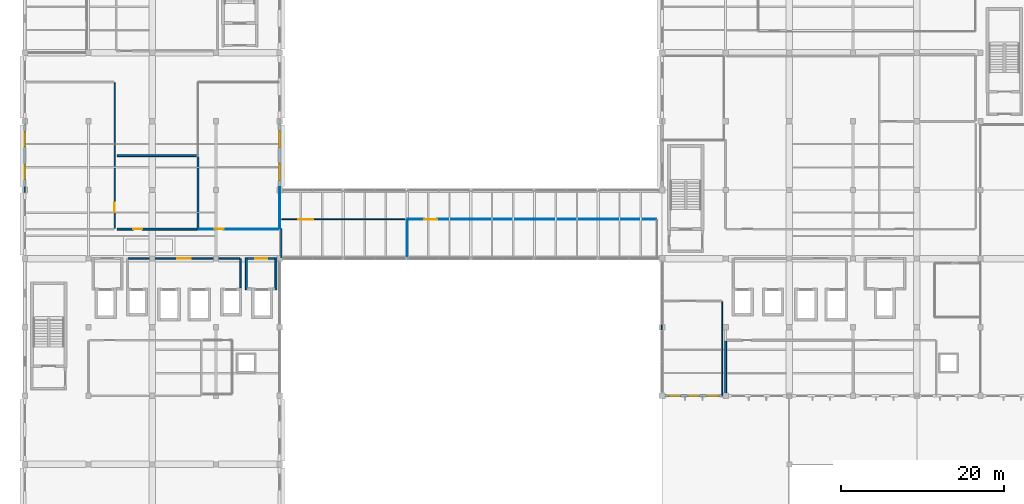
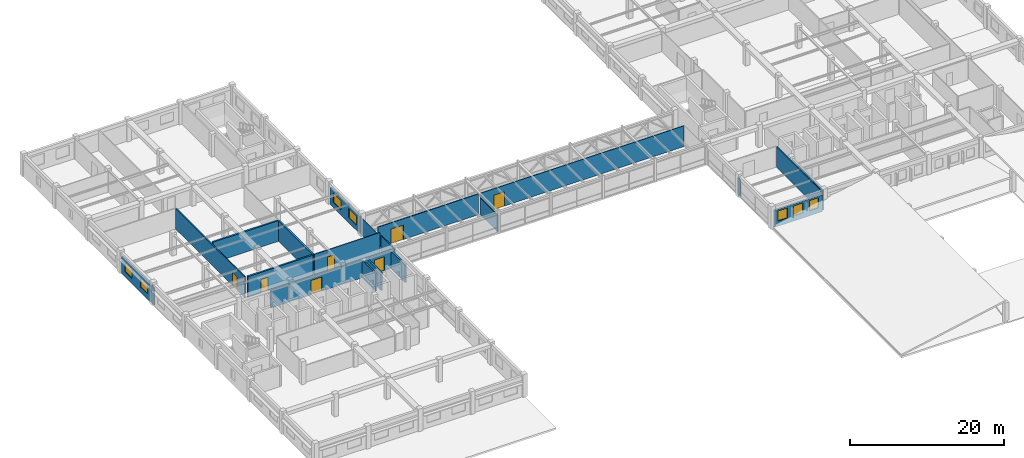
# One storey, part 39 of 49: 22 walls, 7 doors, 7 windows, 14 openings.
"""IFC4 building model written with IfcOpenShell, lengths in metres."""

from ifc_helpers import new_model, si_unit, direction, frame, frame_2d, origin, place, context, subcontext, project, spatial, rectangle, extrude, material, layer, layer_set, type_object, element, fill, save


model = new_model("IFC4")

# Units and contexts
model_context = context("Model", 3, precision=1e-05, world=origin(), true_north=direction((0.0, 1.0)))
body_context = subcontext(model_context, "Body", "Model", "MODEL_VIEW")
ifc_project = project(units=[si_unit("LENGTHUNIT", "METRE"), si_unit("AREAUNIT", "SQUARE_METRE"), si_unit("VOLUMEUNIT", "CUBIC_METRE"), si_unit("PLANEANGLEUNIT", "RADIAN"), si_unit("MASSUNIT", "GRAM", prefix="KILO"), si_unit("THERMODYNAMICTEMPERATUREUNIT", "KELVIN"), si_unit("POWERUNIT", "WATT")], contexts=[model_context])

# Site, building, storey
site_placement = place(None, origin())
site = spatial("IfcSite", under=ifc_project, at=site_placement, CompositionType="ELEMENT")
building_placement = place(site_placement, origin())
building = spatial("IfcBuilding", under=site, at=building_placement, Name="Srebrne Nadtorze General Hospital", CompositionType="ELEMENT")
storey_placement = place(building_placement, frame((0.0, 0.0, 26.10009765625)))
storey = spatial("IfcBuildingStorey", under=building, at=storey_placement, Name="L06", CompositionType="ELEMENT", Elevation=26.10009765625)

# Walls
ifc_material_1 = material(Name="Gypsum Healthcare Partition")
ifc_layer_1 = layer(ifc_material_1, 0.139892578125)
ifc_layer_set_1 = layer_set([ifc_layer_1], Name="Gypsum Healthcare Partition")
wall_type_1 = type_object("IfcWallType", Name="Clinical partition 140", PredefinedType="PARTITIONING", material=ifc_layer_set_1)
wall_1_placement = place(storey_placement, frame((101.39990234375, 41.68994140625, 0.0), z_axis=(0.0, 0.0, 1.0), x_axis=(0.0, 1.0, 0.0)))
element("IfcWall", 1, at=wall_1_placement, inside=storey, type_object=wall_type_1, Name="Speech and Swallowing Therapy Clinic wall WL-INT-L06-2205", PredefinedType="PARTITIONING", context=body_context, shape_type="SweptSolid", body=[
    extrude(rectangle(XDim=0.6201171875, YDim=0.139892578125, at=frame_2d((0.31005859375, 0.0))), origin(), (0.0, 0.0, 1.0), 2.64990234375),
])
wall_2_placement = place(storey_placement, frame((108.800048828125, 33.68505859375, 0.0), z_axis=(0.0, 0.0, 1.0), x_axis=(0.0, 1.0, 0.0)))
element("IfcWall", 2, at=wall_2_placement, inside=storey, type_object=wall_type_1, Name="Speech and Swallowing Therapy Clinic wall WL-INT-L06-2206", PredefinedType="PARTITIONING", context=body_context, shape_type="SweptSolid", body=[
    extrude(rectangle(XDim=11.429931640625, YDim=0.139892578125, at=frame_2d((5.71484375, 0.0))), origin(), (0.0, 0.0, 1.0), 3.27978515625),
])

# Wall, opening, door
wall_3_placement = place(storey_placement, frame((54.885009765625, 55.199951171875, 0.0), z_axis=(0.0, 0.0, 1.0), x_axis=(1.0, 0.0, 0.0)))
wall_3 = element("IfcWall", 3, at=wall_3_placement, inside=storey, type_object=wall_type_1, Name="Telemedicine Specialist Consultation Suite wall WL-INT-L06-2214", PredefinedType="PARTITIONING", context=body_context, shape_type="SweptSolid", body=[
    extrude(rectangle(XDim=15.030029296875, YDim=0.139892578125, at=frame_2d((7.51513671875, 0.0))), origin(), (0.0, 0.0, 1.0), 3.27978515625),
])
opening_1_placement = place(wall_3_placement, frame((1.96337890625, 0.0, 0.0)))
opening_1 = element("IfcOpeningElement", 4, at=opening_1_placement, cuts=wall_3, Name="Opening D-L06-0479", PredefinedType="OPENING", context=body_context, shape_type="SweptSolid", body=[
    extrude(rectangle(XDim=1.85009765625, YDim=2.300048828125, at=frame_2d((0.925048828125, 1.14990234375))), frame((0.0, 0.08203125, 0.0), z_axis=(0.0, -1.0, 0.0), x_axis=(1.0, 0.0, 0.0)), (0.0, 0.0, 1.0), 0.163818359375),
])
ifc_material_2 = material(Name="Anodised Aluminium", Category="aluminium")
door_type_1 = type_object("IfcDoorType", Name="Double leaf door 1850x2300", OperationType="DOUBLE_DOOR_SINGLE_SWING", PredefinedType="DOOR", material=ifc_material_2)
door_1_placement = place(opening_1_placement, frame((1.85009765625, 0.0, 0.0), z_axis=(0.0, 0.0, 1.0), x_axis=(-1.0, 0.0, 0.0)))
door_1 = element("IfcDoor", 5, at=door_1_placement, inside=storey, type_object=door_type_1, Name="Telemedicine Specialist Consultation Suite door D-L06-0479", OperationType="DOUBLE_DOOR_SINGLE_SWING", OverallHeight=2.300048828125, OverallWidth=1.85009765625, PredefinedType="DOOR", context=body_context, shape_type="SweptSolid", body=[
    extrude(rectangle(XDim=1.85009765625, YDim=2.300048828125, at=frame_2d((0.925048828125, 1.14990234375))), frame((0.0, 0.02490234375, 0.0), z_axis=(0.0, -1.0, 0.0), x_axis=(1.0, 0.0, 0.0)), (0.0, 0.0, 1.0), 0.050048828125),
])
fill(opening_1, door_1)

# Wall
wall_4_placement = place(storey_placement, frame((54.800048828125, 50.485107421875, 0.0), z_axis=(0.0, 0.0, 1.0), x_axis=(0.0, 1.0, 0.0)))
element("IfcWall", 6, at=wall_4_placement, inside=storey, type_object=wall_type_1, Name="Telemedicine Specialist Consultation Suite wall WL-INT-L06-2215", PredefinedType="PARTITIONING", context=body_context, shape_type="SweptSolid", body=[
    extrude(rectangle(XDim=3.559814453125, YDim=0.139892578125, at=frame_2d((1.77978515625, 0.0))), origin(), (0.0, 0.0, 1.0), 2.64990234375),
])

# Wall, opening, door
ifc_material_3 = material(Name="Gypsum Healthcare Partition")
ifc_layer_2 = layer(ifc_material_3, 0.159912109375)
ifc_layer_set_2 = layer_set([ifc_layer_2], Name="Gypsum Healthcare Partition")
wall_type_2 = type_object("IfcWallType", Name="Clinical partition 160", PredefinedType="PARTITIONING", material=ifc_layer_set_2)
wall_5_placement = place(storey_placement, frame((34.39990234375, 54.0849609375, 0.0), z_axis=(0.0, 0.0, 1.0), x_axis=(0.0, 1.0, 0.0)))
wall_5 = element("IfcWall", 7, at=wall_5_placement, inside=storey, type_object=wall_type_2, Name="Hydrotherapy and Gait Analysis Clinic wall WL-INT-L06-2178", PredefinedType="PARTITIONING", context=body_context, shape_type="SweptSolid", body=[
    extrude(rectangle(XDim=17.830078125, YDim=0.159912109375, at=frame_2d((8.9150390625, 0.0))), origin(), (0.0, 0.0, 1.0), 3.27978515625),
])
opening_2_placement = place(wall_5_placement, frame((1.966064453125, 0.0, 0.0)))
opening_2 = element("IfcOpeningElement", 8, at=opening_2_placement, cuts=wall_5, Name="Opening D-L06-0469", PredefinedType="OPENING", context=body_context, shape_type="SweptSolid", body=[
    extrude(rectangle(XDim=1.199951171875, YDim=2.14990234375, at=frame_2d((0.60009765625, 1.074951171875))), frame((0.0, 0.091796875, 0.0), z_axis=(0.0, -1.0, 0.0), x_axis=(1.0, 0.0, 0.0)), (0.0, 0.0, 1.0), 0.183837890625),
])
ifc_material_4 = material(Name="Anodised Aluminium", Category="aluminium")
door_type_2 = type_object("IfcDoorType", Name="Single leaf door 1200x2150", OperationType="NOTDEFINED", PredefinedType="DOOR", material=ifc_material_4)
door_2_placement = place(opening_2_placement, origin())
door_2 = element("IfcDoor", 9, at=door_2_placement, inside=storey, type_object=door_type_2, Name="Hydrotherapy and Gait Analysis Clinic door D-L06-0469", OperationType="SINGLE_SWING_LEFT", OverallHeight=2.14990234375, OverallWidth=1.199951171875, PredefinedType="DOOR", context=body_context, shape_type="SweptSolid", body=[
    extrude(rectangle(XDim=1.199951171875, YDim=2.14990234375, at=frame_2d((0.60009765625, 1.074951171875))), frame((0.0, 0.02490234375, 0.0), z_axis=(0.0, -1.0, 0.0), x_axis=(1.0, 0.0, 0.0)), (0.0, 0.0, 1.0), 0.050048828125),
])
fill(opening_2, door_2)

# Walls
wall_6_placement = place(storey_placement, frame((23.39990234375, 58.489990234375, 0.0), z_axis=(0.0, 0.0, 1.0), x_axis=(0.0, 1.0, 0.0)))
element("IfcWall", 10, at=wall_6_placement, inside=storey, type_object=wall_type_2, Name="Hydrotherapy and Gait Analysis Clinic wall WL-INT-L06-2181", PredefinedType="PARTITIONING", context=body_context, shape_type="SweptSolid", body=[
    extrude(rectangle(XDim=0.6201171875, YDim=0.159912109375, at=frame_2d((0.31005859375, 0.0))), origin(), (0.0, 0.0, 1.0), 2.64990234375),
])
ifc_material_5 = material(Name="Gypsum Healthcare Partition")
ifc_layer_3 = layer(ifc_material_5, 0.199951171875)
ifc_layer_set_3 = layer_set([ifc_layer_3], Name="Gypsum Healthcare Partition")
wall_type_3 = type_object("IfcWallType", Name="Compartment wall 200", PredefinedType="STANDARD", material=ifc_layer_set_3)
wall_7_placement = place(storey_placement, frame((49.820068359375, 46.81005859375, 0.0), z_axis=(0.0, 0.0, 1.0), x_axis=(0.0, 1.0, 0.0)))
element("IfcWall", 11, at=wall_7_placement, inside=storey, type_object=wall_type_3, Name="Lift lobby side wall WL-INT-L06-1128", PredefinedType="STANDARD", context=body_context, shape_type="SweptSolid", body=[
    extrude(rectangle(XDim=3.58984375, YDim=0.199951171875, at=frame_2d((1.794921875, 0.0))), origin(), (0.0, 0.0, 1.0), 2.7998046875),
])

# Wall, opening, door
wall_8_placement = place(storey_placement, frame((36.080078125, 50.39990234375, 0.0), z_axis=(0.0, 0.0, 1.0), x_axis=(1.0, 0.0, 0.0)))
wall_8 = element("IfcWall", 12, at=wall_8_placement, inside=storey, type_object=wall_type_3, Name="Lift lobby corridor wall WL-INT-L06-1129", PredefinedType="STANDARD", context=body_context, shape_type="SweptSolid", body=[
    extrude(rectangle(XDim=13.639892578125, YDim=0.199951171875, at=frame_2d((6.81982421875, 0.0))), origin(), (0.0, 0.0, 1.0), 2.7998046875),
])
opening_3_placement = place(wall_8_placement, frame((5.9951171875, 0.0, 0.0)))
opening_3 = element("IfcOpeningElement", 13, at=opening_3_placement, cuts=wall_8, Name="Opening D-L06-0154", PredefinedType="OPENING", context=body_context, shape_type="SweptSolid", body=[
    extrude(rectangle(XDim=1.64990234375, YDim=2.25, at=frame_2d((0.824951171875, 1.125))), frame((0.0, 0.11181640625, 0.0), z_axis=(0.0, -1.0, 0.0), x_axis=(1.0, 0.0, 0.0)), (0.0, 0.0, 1.0), 0.223876953125),
])
ifc_material_6 = material(Name="Anodised Aluminium", Category="aluminium")
door_type_3 = type_object("IfcDoorType", Name="Double leaf door 1650x2250", OperationType="DOUBLE_DOOR_SINGLE_SWING", PredefinedType="DOOR", material=ifc_material_6)
door_3_placement = place(opening_3_placement, origin())
door_3 = element("IfcDoor", 14, at=door_3_placement, inside=storey, type_object=door_type_3, Name="Lift lobby corridor door D-L06-0154", OperationType="DOUBLE_DOOR_SINGLE_SWING", OverallHeight=2.25, OverallWidth=1.64990234375, PredefinedType="DOOR", context=body_context, shape_type="SweptSolid", body=[
    extrude(rectangle(XDim=1.64990234375, YDim=2.25, at=frame_2d((0.824951171875, 1.125))), frame((0.0, 0.02490234375, 0.0), z_axis=(0.0, -1.0, 0.0), x_axis=(1.0, 0.0, 0.0)), (0.0, 0.0, 1.0), 0.050048828125),
])
fill(opening_3, door_3)

# Walls
ifc_material_7 = material(Name="Gypsum Healthcare Partition")
ifc_layer_4 = layer(ifc_material_7, 0.239990234375)
ifc_layer_set_4 = layer_set([ifc_layer_4], Name="Gypsum Healthcare Partition")
wall_type_4 = type_object("IfcWallType", Name="Corridor fire wall 240", PredefinedType="STANDARD", material=ifc_layer_set_4)
for number, where, z_axis, x_axis, name in (
    (15, (50.530029296875, 46.570068359375, 0.0), (0.0, 0.0, 1.0), (0.0, 1.0, 0.0), "FF lift lobby wall WL-INT-L06-1122"),
    (16, (54.139892578125, 46.570068359375, 0.0), (0.0, 0.0, 1.0), (0.0, 1.0, 0.0), "FF lift lobby wall WL-INT-L06-1123"),
):
    element("IfcWall", number, at=place(storey_placement, frame(where, z_axis=z_axis, x_axis=x_axis)), inside=storey, type_object=wall_type_4, Name=name, PredefinedType="STANDARD", context=body_context, shape_type="SweptSolid", body=[
        extrude(rectangle(XDim=3.949951171875, YDim=0.239990234375, at=frame_2d((1.97509765625, 0.0))), origin(), (0.0, 0.0, 1.0), 2.7998046875),
    ])

# Wall, opening, door
wall_9_placement = place(storey_placement, frame((50.64990234375, 50.39990234375, 0.0), z_axis=(0.0, 0.0, 1.0), x_axis=(1.0, 0.0, 0.0)))
wall_9 = element("IfcWall", 17, at=wall_9_placement, inside=storey, type_object=wall_type_4, Name="FF lift lobby front wall WL-INT-L06-1126", PredefinedType="STANDARD", context=body_context, shape_type="SweptSolid", body=[
    extrude(rectangle(XDim=3.3701171875, YDim=0.239990234375, at=frame_2d((1.68505859375, 0.0))), origin(), (0.0, 0.0, 1.0), 2.7998046875),
])
opening_4_placement = place(wall_9_placement, frame((0.9599609375, 0.0, 0.0)))
opening_4 = element("IfcOpeningElement", 18, at=opening_4_placement, cuts=wall_9, Name="Opening D-L06-0153", PredefinedType="OPENING", context=body_context, shape_type="SweptSolid", body=[
    extrude(rectangle(XDim=1.449951171875, YDim=2.199951171875, at=frame_2d((0.72509765625, 1.10009765625))), frame((0.0, 0.1318359375, 0.0), z_axis=(0.0, -1.0, 0.0), x_axis=(1.0, 0.0, 0.0)), (0.0, 0.0, 1.0), 0.263916015625),
])
ifc_material_8 = material(Name="Anodised Aluminium", Category="aluminium")
door_type_4 = type_object("IfcDoorType", Name="Double leaf door 1450x2200", OperationType="DOUBLE_DOOR_SINGLE_SWING", PredefinedType="DOOR", material=ifc_material_8)
door_4_placement = place(opening_4_placement, origin())
door_4 = element("IfcDoor", 19, at=door_4_placement, inside=storey, type_object=door_type_4, Name="Firefighting lift lobby door D-L06-0153", OperationType="DOUBLE_DOOR_SINGLE_SWING", OverallHeight=2.199951171875, OverallWidth=1.449951171875, PredefinedType="DOOR", context=body_context, shape_type="SweptSolid", body=[
    extrude(rectangle(XDim=1.449951171875, YDim=2.199951171875, at=frame_2d((0.72509765625, 1.10009765625))), frame((0.0, 0.02490234375, 0.0), z_axis=(0.0, -1.0, 0.0), x_axis=(1.0, 0.0, 0.0)), (0.0, 0.0, 1.0), 0.050048828125),
])
fill(opening_4, door_4)

wall_10_placement = place(storey_placement, frame((34.7099609375, 54.0, 0.0), z_axis=(0.0, 0.0, 1.0), x_axis=(1.0, 0.0, 0.0)))
wall_10 = element("IfcWall", 20, at=wall_10_placement, inside=storey, type_object=wall_type_4, Name="Upper Ward Interstitial Plant Room wall WL-INT-L06-2183", PredefinedType="STANDARD", context=body_context, shape_type="SweptSolid", body=[
    extrude(rectangle(XDim=9.780029296875, YDim=0.239990234375, at=frame_2d((4.89013671875, 0.0))), origin(), (0.0, 0.0, 1.0), 3.27978515625),
])
opening_5_placement = place(wall_10_placement, frame((1.964599609375, 0.0, 0.0)))
opening_5 = element("IfcOpeningElement", 21, at=opening_5_placement, cuts=wall_10, Name="Opening D-L06-0470", PredefinedType="OPENING", context=body_context, shape_type="SweptSolid", body=[
    extrude(rectangle(XDim=1.080078125, YDim=2.14990234375, at=frame_2d((0.5400390625, 1.074951171875))), frame((0.0, 0.1318359375, 0.0), z_axis=(0.0, -1.0, 0.0), x_axis=(1.0, 0.0, 0.0)), (0.0, 0.0, 1.0), 0.263916015625),
])
ifc_material_9 = material(Name="Anodised Aluminium", Category="aluminium")
door_type_5 = type_object("IfcDoorType", Name="Single leaf door 1080x2150", OperationType="NOTDEFINED", PredefinedType="DOOR", material=ifc_material_9)
door_5_placement = place(opening_5_placement, origin())
door_5 = element("IfcDoor", 22, at=door_5_placement, inside=storey, type_object=door_type_5, Name="Upper Ward Interstitial Plant Room door D-L06-0470", OperationType="SINGLE_SWING_LEFT", OverallHeight=2.14990234375, OverallWidth=1.080078125, PredefinedType="DOOR", context=body_context, shape_type="SweptSolid", body=[
    extrude(rectangle(XDim=1.080078125, YDim=2.14990234375, at=frame_2d((0.5400390625, 1.074951171875))), frame((0.0, 0.02490234375, 0.0), z_axis=(0.0, -1.0, 0.0), x_axis=(1.0, 0.0, 0.0)), (0.0, 0.0, 1.0), 0.050048828125),
])
fill(opening_5, door_5)

# Walls
wall_11_placement = place(storey_placement, frame((34.7099609375, 63.0, 0.0), z_axis=(0.0, 0.0, 1.0), x_axis=(1.0, 0.0, 0.0)))
element("IfcWall", 23, at=wall_11_placement, inside=storey, type_object=wall_type_4, Name="Upper Ward Interstitial Plant Room wall WL-INT-L06-2184", PredefinedType="STANDARD", context=body_context, shape_type="SweptSolid", body=[
    extrude(rectangle(XDim=9.780029296875, YDim=0.239990234375, at=frame_2d((4.89013671875, 0.0))), origin(), (0.0, 0.0, 1.0), 3.27978515625),
])
wall_12_placement = place(storey_placement, frame((44.60009765625, 54.110107421875, 0.0), z_axis=(0.0, 0.0, 1.0), x_axis=(0.0, 1.0, 0.0)))
element("IfcWall", 24, at=wall_12_placement, inside=storey, type_object=wall_type_4, Name="Upper Ward Interstitial Plant Room wall WL-INT-L06-2185", PredefinedType="STANDARD", context=body_context, shape_type="SweptSolid", body=[
    extrude(rectangle(XDim=8.77978515625, YDim=0.239990234375, at=frame_2d((4.389892578125, 0.0))), origin(), (0.0, 0.0, 1.0), 3.27978515625),
])
wall_13_placement = place(storey_placement, frame((109.199951171875, 33.7099609375, 0.0), z_axis=(0.0, 0.0, 1.0), x_axis=(0.0, 1.0, 0.0)))
element("IfcWall", 25, at=wall_13_placement, inside=storey, type_object=wall_type_4, Name="East Ward Interstitial Plant Room wall WL-INT-L06-2232", PredefinedType="STANDARD", context=body_context, shape_type="SweptSolid", body=[
    extrude(rectangle(XDim=6.580078125, YDim=0.239990234375, at=frame_2d((3.2900390625, 0.0))), origin(), (0.0, 0.0, 1.0), 3.0498046875),
])

# Wall, openings, windows
ifc_material_10 = material(Name="Concrete C40/50 precast", Category="concrete")
ifc_layer_5 = layer(ifc_material_10, 0.300048828125)
ifc_layer_set_5 = layer_set([ifc_layer_5], Name="Concrete C40/50 precast")
wall_type_5 = type_object("IfcWallType", Name="Limestone precast wall 300", PredefinedType="STANDARD", material=ifc_layer_set_5)
wall_14_placement = place(storey_placement, frame((101.75, 33.60009765625, 0.0), z_axis=(0.0, 0.0, 1.0), x_axis=(1.0, 0.0, 0.0)))
wall_14 = element("IfcWall", 26, at=wall_14_placement, inside=storey, type_object=wall_type_5, Name="Exterior wall WL-ENV-L06-0464", PredefinedType="STANDARD", context=body_context, shape_type="SweptSolid", body=[
    extrude(rectangle(XDim=7.125, YDim=0.300048828125, at=frame_2d((3.5625, 0.0))), origin(), (0.0, 0.0, 1.0), 2.64990234375),
])
opening_6_placement = place(wall_14_placement, frame((0.510009765625, 0.0, 0.800048828125)))
opening_6 = element("IfcOpeningElement", 27, at=opening_6_placement, cuts=wall_14, Name="Opening WN-L06-0761", PredefinedType="OPENING", context=body_context, shape_type="SweptSolid", body=[
    extrude(rectangle(XDim=1.39990234375, YDim=1.60009765625, at=frame_2d((0.699951171875, 0.800048828125))), frame((0.0, 0.162109375, 0.0), z_axis=(0.0, -1.0, 0.0), x_axis=(1.0, 0.0, 0.0)), (0.0, 0.0, 1.0), 0.323974609375),
])
opening_7_placement = place(wall_14_placement, frame((2.85009765625, 0.0, 0.800048828125)))
opening_7 = element("IfcOpeningElement", 28, at=opening_7_placement, cuts=wall_14, Name="Opening WN-L06-0762", PredefinedType="OPENING", context=body_context, shape_type="SweptSolid", body=[
    extrude(rectangle(XDim=1.39990234375, YDim=1.60009765625, at=frame_2d((0.699951171875, 0.800048828125))), frame((0.0, 0.162109375, 0.0), z_axis=(0.0, -1.0, 0.0), x_axis=(1.0, 0.0, 0.0)), (0.0, 0.0, 1.0), 0.323974609375),
])
opening_8_placement = place(wall_14_placement, frame((5.18994140625, 0.0, 0.800048828125)))
opening_8 = element("IfcOpeningElement", 29, at=opening_8_placement, cuts=wall_14, Name="Opening WN-L06-0763", PredefinedType="OPENING", context=body_context, shape_type="SweptSolid", body=[
    extrude(rectangle(XDim=1.39990234375, YDim=1.60009765625, at=frame_2d((0.699951171875, 0.800048828125))), frame((0.0, 0.162109375, 0.0), z_axis=(0.0, -1.0, 0.0), x_axis=(1.0, 0.0, 0.0)), (0.0, 0.0, 1.0), 0.323974609375),
])
ifc_material_11 = material(Name="Triple Low-E Glazing", Category="glass")
window_type_1 = type_object("IfcWindowType", Name="Punched clinical window 1400x1600", PartitioningType="SINGLE_PANEL", PredefinedType="WINDOW", material=ifc_material_11)
window_1_placement = place(opening_6_placement, origin())
window_1 = element("IfcWindow", 30, at=window_1_placement, inside=storey, type_object=window_type_1, Name="Clinical window WN-L06-0761", OverallHeight=1.60009765625, OverallWidth=1.39990234375, PartitioningType="SINGLE_PANEL", PredefinedType="WINDOW", context=body_context, shape_type="SweptSolid", body=[
    extrude(rectangle(XDim=1.39990234375, YDim=1.60009765625, at=frame_2d((0.699951171875, 0.800048828125))), frame((0.0, 0.030029296875, 0.0), z_axis=(0.0, -1.0, 0.0), x_axis=(1.0, 0.0, 0.0)), (0.0, 0.0, 1.0), 0.06005859375),
])
fill(opening_6, window_1)
window_2_placement = place(opening_7_placement, origin())
window_2 = element("IfcWindow", 31, at=window_2_placement, inside=storey, type_object=window_type_1, Name="Clinical window WN-L06-0762", OverallHeight=1.60009765625, OverallWidth=1.39990234375, PartitioningType="SINGLE_PANEL", PredefinedType="WINDOW", context=body_context, shape_type="SweptSolid", body=[
    extrude(rectangle(XDim=1.39990234375, YDim=1.60009765625, at=frame_2d((0.699951171875, 0.800048828125))), frame((0.0, 0.030029296875, 0.0), z_axis=(0.0, -1.0, 0.0), x_axis=(1.0, 0.0, 0.0)), (0.0, 0.0, 1.0), 0.06005859375),
])
fill(opening_7, window_2)
window_3_placement = place(opening_8_placement, origin())
window_3 = element("IfcWindow", 32, at=window_3_placement, inside=storey, type_object=window_type_1, Name="Clinical window WN-L06-0763", OverallHeight=1.60009765625, OverallWidth=1.39990234375, PartitioningType="SINGLE_PANEL", PredefinedType="WINDOW", context=body_context, shape_type="SweptSolid", body=[
    extrude(rectangle(XDim=1.39990234375, YDim=1.60009765625, at=frame_2d((0.699951171875, 0.800048828125))), frame((0.0, 0.030029296875, 0.0), z_axis=(0.0, -1.0, 0.0), x_axis=(1.0, 0.0, 0.0)), (0.0, 0.0, 1.0), 0.06005859375),
])
fill(opening_8, window_3)

# Wall, opening, door
ifc_material_12 = material(Name="Gypsum Healthcare Partition")
ifc_layer_6 = layer(ifc_material_12, 0.10009765625)
ifc_layer_set_6 = layer_set([ifc_layer_6], Name="Gypsum Healthcare Partition")
wall_type_6 = type_object("IfcWallType", Name="Shaft lining wall 100", PredefinedType="PARTITIONING", material=ifc_layer_set_6)
wall_15_placement = place(storey_placement, frame((44.68505859375, 54.0, 0.0), z_axis=(0.0, 0.0, 1.0), x_axis=(1.0, 0.0, 0.0)))
wall_15 = element("IfcWall", 33, at=wall_15_placement, inside=storey, type_object=wall_type_6, Name="Tele-ICU Clinical Monitoring Centre wall WL-INT-L06-2186", PredefinedType="PARTITIONING", context=body_context, shape_type="SweptSolid", body=[
    extrude(rectangle(XDim=9.829833984375, YDim=0.10009765625, at=frame_2d((4.9150390625, 0.0))), origin(), (0.0, 0.0, 1.0), 3.27978515625),
])
opening_9_placement = place(wall_15_placement, frame((1.96875, 0.0, 0.0)))
opening_9 = element("IfcOpeningElement", 34, at=opening_9_placement, cuts=wall_15, Name="Opening D-L06-0471", PredefinedType="OPENING", context=body_context, shape_type="SweptSolid", body=[
    extrude(rectangle(XDim=1.080078125, YDim=2.14990234375, at=frame_2d((0.5400390625, 1.074951171875))), frame((0.0, 0.06201171875, 0.0), z_axis=(0.0, -1.0, 0.0), x_axis=(1.0, 0.0, 0.0)), (0.0, 0.0, 1.0), 0.1240234375),
])
door_6_placement = place(opening_9_placement, origin())
door_6 = element("IfcDoor", 35, at=door_6_placement, inside=storey, type_object=door_type_5, Name="Tele-ICU Clinical Monitoring Centre door D-L06-0471", OperationType="SINGLE_SWING_LEFT", OverallHeight=2.14990234375, OverallWidth=1.080078125, PredefinedType="DOOR", context=body_context, shape_type="SweptSolid", body=[
    extrude(rectangle(XDim=1.080078125, YDim=2.14990234375, at=frame_2d((0.5400390625, 1.074951171875))), frame((0.0, 0.02490234375, 0.0), z_axis=(0.0, -1.0, 0.0), x_axis=(1.0, 0.0, 0.0)), (0.0, 0.0, 1.0), 0.050048828125),
])
fill(opening_9, door_6)

# Wall
wall_16_placement = place(storey_placement, frame((54.60009765625, 54.0849609375, 0.0), z_axis=(0.0, 0.0, 1.0), x_axis=(0.0, 1.0, 0.0)))
element("IfcWall", 36, at=wall_16_placement, inside=storey, type_object=wall_type_6, Name="Tele-ICU Clinical Monitoring Centre wall WL-INT-L06-2189", PredefinedType="PARTITIONING", context=body_context, shape_type="SweptSolid", body=[
    extrude(rectangle(XDim=5.025146484375, YDim=0.10009765625, at=frame_2d((2.5126953125, 0.0))), origin(), (0.0, 0.0, 1.0), 2.64990234375),
])

# Wall, opening, door
wall_17_placement = place(storey_placement, frame((70.284912109375, 55.199951171875, 0.0), z_axis=(0.0, 0.0, 1.0), x_axis=(1.0, 0.0, 0.0)))
wall_17 = element("IfcWall", 37, at=wall_17_placement, inside=storey, type_object=wall_type_6, Name="Clinical Bioinformatics Collaboration Suite wall WL-INT-L06-2207", PredefinedType="PARTITIONING", context=body_context, shape_type="SweptSolid", body=[
    extrude(rectangle(XDim=30.43017578125, YDim=0.10009765625, at=frame_2d((15.215087890625, 0.0))), origin(), (0.0, 0.0, 1.0), 3.27978515625),
])
opening_10_placement = place(wall_17_placement, frame((1.998779296875, 0.0, 0.0)))
opening_10 = element("IfcOpeningElement", 38, at=opening_10_placement, cuts=wall_17, Name="Opening D-L06-0477", PredefinedType="OPENING", context=body_context, shape_type="SweptSolid", body=[
    extrude(rectangle(XDim=1.60009765625, YDim=2.25, at=frame_2d((0.800048828125, 1.125))), frame((0.0, 0.06201171875, 0.0), z_axis=(0.0, -1.0, 0.0), x_axis=(1.0, 0.0, 0.0)), (0.0, 0.0, 1.0), 0.1240234375),
])
ifc_material_13 = material(Name="Anodised Aluminium", Category="aluminium")
door_type_6 = type_object("IfcDoorType", Name="Double leaf door 1600x2250", OperationType="DOUBLE_DOOR_SINGLE_SWING", PredefinedType="DOOR", material=ifc_material_13)
door_7_placement = place(opening_10_placement, frame((1.60009765625, 0.0, 0.0), z_axis=(0.0, 0.0, 1.0), x_axis=(-1.0, 0.0, 0.0)))
door_7 = element("IfcDoor", 39, at=door_7_placement, inside=storey, type_object=door_type_6, Name="Clinical Bioinformatics Collaboration Suite door D-L06-0477", OperationType="DOUBLE_DOOR_SINGLE_SWING", OverallHeight=2.25, OverallWidth=1.60009765625, PredefinedType="DOOR", context=body_context, shape_type="SweptSolid", body=[
    extrude(rectangle(XDim=1.60009765625, YDim=2.25, at=frame_2d((0.800048828125, 1.125))), frame((0.0, 0.02490234375, 0.0), z_axis=(0.0, -1.0, 0.0), x_axis=(1.0, 0.0, 0.0)), (0.0, 0.0, 1.0), 0.050048828125),
])
fill(opening_10, door_7)

# Wall
wall_18_placement = place(storey_placement, frame((70.199951171875, 50.485107421875, 0.0), z_axis=(0.0, 0.0, 1.0), x_axis=(0.0, 1.0, 0.0)))
element("IfcWall", 40, at=wall_18_placement, inside=storey, type_object=wall_type_6, Name="Clinical Bioinformatics Collaboration Suite wall WL-INT-L06-2208", PredefinedType="PARTITIONING", context=body_context, shape_type="SweptSolid", body=[
    extrude(rectangle(XDim=4.6298828125, YDim=0.10009765625, at=frame_2d((2.31494140625, 0.0))), origin(), (0.0, 0.0, 1.0), 2.64990234375),
])

# Wall, openings, windows
ifc_material_14 = material(Name="Concrete C35/45 precast", Category="concrete")
ifc_layer_7 = layer(ifc_material_14, 0.260009765625)
ifc_layer_set_7 = layer_set([ifc_layer_7], Name="Concrete C35/45 precast")
wall_type_7 = type_object("IfcWallType", Name="Spandrel wall 260", PredefinedType="STANDARD", material=ifc_layer_set_7)
wall_19_placement = place(storey_placement, frame((23.39990234375, 59.14990234375, 0.0), z_axis=(0.0, 0.0, 1.0), x_axis=(0.0, 1.0, 0.0)))
wall_19 = element("IfcWall", 41, at=wall_19_placement, inside=storey, type_object=wall_type_7, Name="Exterior wall WL-ENV-L06-0485", PredefinedType="STANDARD", context=body_context, shape_type="SweptSolid", body=[
    extrude(rectangle(XDim=7.7001953125, YDim=0.260009765625, at=frame_2d((3.85009765625, 0.0))), origin(), (0.0, 0.0, 1.0), 2.64990234375),
])
opening_11_placement = place(wall_19_placement, frame((0.93408203125, 0.0, 0.800048828125)))
opening_11 = element("IfcOpeningElement", 42, at=opening_11_placement, cuts=wall_19, Name="Opening WN-L06-0803", PredefinedType="OPENING", context=body_context, shape_type="SweptSolid", body=[
    extrude(rectangle(XDim=1.800048828125, YDim=1.449951171875, at=frame_2d((0.89990234375, 0.72509765625))), frame((0.0, 0.14208984375, 0.0), z_axis=(0.0, -1.0, 0.0), x_axis=(1.0, 0.0, 0.0)), (0.0, 0.0, 1.0), 0.283935546875),
])
opening_12_placement = place(wall_19_placement, frame((4.966064453125, 0.0, 0.800048828125)))
opening_12 = element("IfcOpeningElement", 43, at=opening_12_placement, cuts=wall_19, Name="Opening WN-L06-0804", PredefinedType="OPENING", context=body_context, shape_type="SweptSolid", body=[
    extrude(rectangle(XDim=1.800048828125, YDim=1.449951171875, at=frame_2d((0.89990234375, 0.72509765625))), frame((0.0, 0.14208984375, 0.0), z_axis=(0.0, -1.0, 0.0), x_axis=(1.0, 0.0, 0.0)), (0.0, 0.0, 1.0), 0.283935546875),
])
ifc_material_15 = material(Name="Triple Low-E Glazing", Category="glass")
window_type_2 = type_object("IfcWindowType", Name="Punched clinical window 1800x1450", PartitioningType="DOUBLE_PANEL_VERTICAL", PredefinedType="WINDOW", material=ifc_material_15)
window_4_placement = place(opening_11_placement, origin())
window_4 = element("IfcWindow", 44, at=window_4_placement, inside=storey, type_object=window_type_2, Name="Clinical window WN-L06-0803", OverallHeight=1.449951171875, OverallWidth=1.800048828125, PartitioningType="DOUBLE_PANEL_VERTICAL", PredefinedType="WINDOW", context=body_context, shape_type="SweptSolid", body=[
    extrude(rectangle(XDim=1.800048828125, YDim=1.449951171875, at=frame_2d((0.89990234375, 0.72509765625))), frame((0.0, 0.030029296875, 0.0), z_axis=(0.0, -1.0, 0.0), x_axis=(1.0, 0.0, 0.0)), (0.0, 0.0, 1.0), 0.06005859375),
])
fill(opening_11, window_4)
window_5_placement = place(opening_12_placement, origin())
window_5 = element("IfcWindow", 45, at=window_5_placement, inside=storey, type_object=window_type_2, Name="Clinical window WN-L06-0804", OverallHeight=1.449951171875, OverallWidth=1.800048828125, PartitioningType="DOUBLE_PANEL_VERTICAL", PredefinedType="WINDOW", context=body_context, shape_type="SweptSolid", body=[
    extrude(rectangle(XDim=1.800048828125, YDim=1.449951171875, at=frame_2d((0.89990234375, 0.72509765625))), frame((0.0, 0.030029296875, 0.0), z_axis=(0.0, -1.0, 0.0), x_axis=(1.0, 0.0, 0.0)), (0.0, 0.0, 1.0), 0.06005859375),
])
fill(opening_12, window_5)

wall_20_placement = place(storey_placement, frame((54.60009765625, 59.14990234375, 0.0), z_axis=(0.0, 0.0, 1.0), x_axis=(0.0, 1.0, 0.0)))
wall_20 = element("IfcWall", 46, at=wall_20_placement, inside=storey, type_object=wall_type_7, Name="Exterior wall WL-ENV-L06-0491", PredefinedType="STANDARD", context=body_context, shape_type="SweptSolid", body=[
    extrude(rectangle(XDim=7.7001953125, YDim=0.260009765625, at=frame_2d((3.85009765625, 0.0))), origin(), (0.0, 0.0, 1.0), 2.64990234375),
])
opening_13_placement = place(wall_20_placement, frame((0.833984375, 0.0, 0.800048828125)))
opening_13 = element("IfcOpeningElement", 47, at=opening_13_placement, cuts=wall_20, Name="Opening WN-L06-0813", PredefinedType="OPENING", context=body_context, shape_type="SweptSolid", body=[
    extrude(rectangle(XDim=2.0, YDim=1.449951171875, at=frame_2d((1.0, 0.72509765625))), frame((0.0, 0.14208984375, 0.0), z_axis=(0.0, -1.0, 0.0), x_axis=(1.0, 0.0, 0.0)), (0.0, 0.0, 1.0), 0.283935546875),
])
opening_14_placement = place(wall_20_placement, frame((4.865966796875, 0.0, 0.800048828125)))
opening_14 = element("IfcOpeningElement", 48, at=opening_14_placement, cuts=wall_20, Name="Opening WN-L06-0814", PredefinedType="OPENING", context=body_context, shape_type="SweptSolid", body=[
    extrude(rectangle(XDim=2.0, YDim=1.449951171875, at=frame_2d((1.0, 0.72509765625))), frame((0.0, 0.14208984375, 0.0), z_axis=(0.0, -1.0, 0.0), x_axis=(1.0, 0.0, 0.0)), (0.0, 0.0, 1.0), 0.283935546875),
])
ifc_material_16 = material(Name="Triple Low-E Glazing", Category="glass")
window_type_3 = type_object("IfcWindowType", Name="Punched clinical window 2000x1450", PartitioningType="DOUBLE_PANEL_VERTICAL", PredefinedType="WINDOW", material=ifc_material_16)
window_6_placement = place(opening_13_placement, origin())
window_6 = element("IfcWindow", 49, at=window_6_placement, inside=storey, type_object=window_type_3, Name="Clinical window WN-L06-0813", OverallHeight=1.449951171875, OverallWidth=2.0, PartitioningType="DOUBLE_PANEL_VERTICAL", PredefinedType="WINDOW", context=body_context, shape_type="SweptSolid", body=[
    extrude(rectangle(XDim=2.0, YDim=1.449951171875, at=frame_2d((1.0, 0.72509765625))), frame((0.0, 0.030029296875, 0.0), z_axis=(0.0, -1.0, 0.0), x_axis=(1.0, 0.0, 0.0)), (0.0, 0.0, 1.0), 0.06005859375),
])
fill(opening_13, window_6)
window_7_placement = place(opening_14_placement, origin())
window_7 = element("IfcWindow", 50, at=window_7_placement, inside=storey, type_object=window_type_3, Name="Clinical window WN-L06-0814", OverallHeight=1.449951171875, OverallWidth=2.0, PartitioningType="DOUBLE_PANEL_VERTICAL", PredefinedType="WINDOW", context=body_context, shape_type="SweptSolid", body=[
    extrude(rectangle(XDim=2.0, YDim=1.449951171875, at=frame_2d((1.0, 0.72509765625))), frame((0.0, 0.030029296875, 0.0), z_axis=(0.0, -1.0, 0.0), x_axis=(1.0, 0.0, 0.0)), (0.0, 0.0, 1.0), 0.06005859375),
])
fill(opening_14, window_7)

save(model, "model.ifc")
